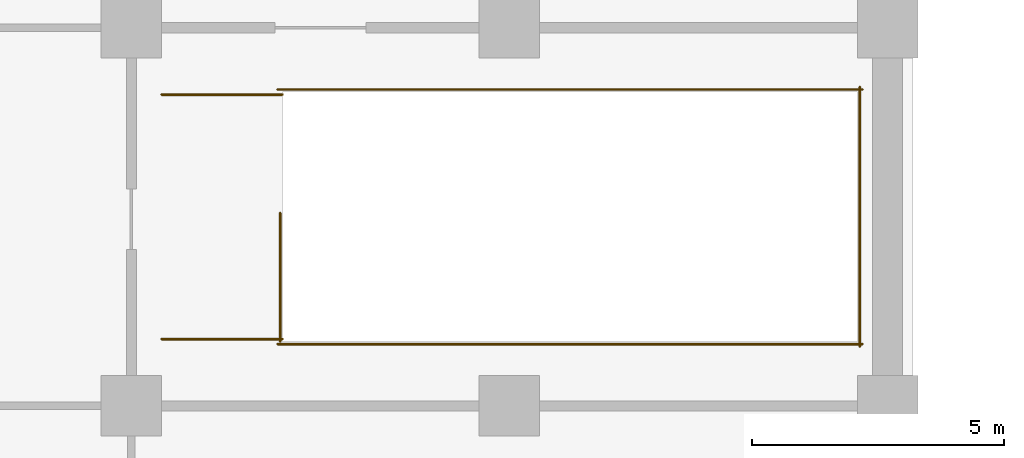
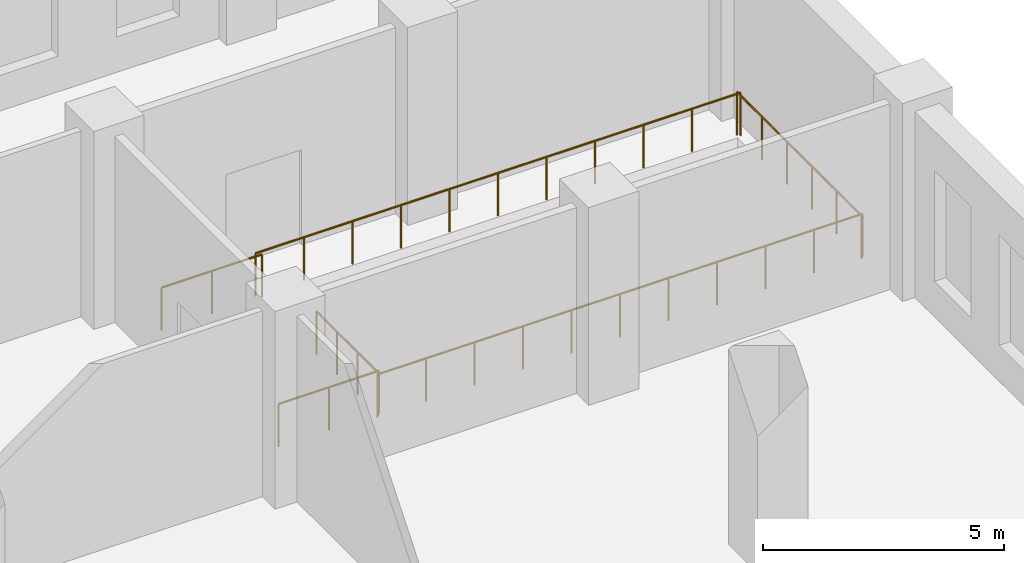
# One storey, part 22 of 22: 6 railings.
"""IFC4 building model written with IfcOpenShell, lengths in metres."""

from ifc_helpers import new_model, si_unit, direction, frame, origin, origin_2d, place, context, subcontext, project, spatial, circle, extrude, material, type_object, element, save


model = new_model("IFC4")

# Units and contexts
model_context = context("Model", 3, precision=1e-05, world=origin(), true_north=direction((0.0, 1.0)))
body_context = subcontext(model_context, "Body", "Model", "MODEL_VIEW")
ifc_project = project(units=[si_unit("LENGTHUNIT", "METRE"), si_unit("AREAUNIT", "SQUARE_METRE"), si_unit("VOLUMEUNIT", "CUBIC_METRE"), si_unit("PLANEANGLEUNIT", "RADIAN"), si_unit("MASSUNIT", "GRAM", prefix="KILO")], contexts=[model_context])

# Site, building, storey
site_placement = place(None, origin())
site = spatial("IfcSite", under=ifc_project, at=site_placement, CompositionType="ELEMENT")
building_placement = place(site_placement, origin())
building = spatial("IfcBuilding", under=site, at=building_placement, Name="Tamorin Gate", CompositionType="ELEMENT")
storey_placement = place(building_placement, frame((0.0, 0.0, 29.0)))
storey = spatial("IfcBuildingStorey", under=building, at=storey_placement, Name="L05", CompositionType="ELEMENT", Elevation=29.0)

# Railings
ifc_material = material(Name="Steel", Category="steel")
railing_type = type_object("IfcRailingType", Name="Podium guard 1100", PredefinedType="GUARDRAIL", material=ifc_material)
railing_1_placement = place(storey_placement, frame((99.949951171875, 98.27490234375, 0.0)))
element("IfcRailing", 1, at=railing_1_placement, inside=storey, type_object=railing_type, Name="L05 PS4 top well guard 1", PredefinedType="GUARDRAIL", context=body_context, shape_type="SweptSolid", body=[
    extrude(circle(Radius=0.02392578125, at=origin_2d()), frame((0.0, 0.0, 1.076171875), z_axis=(0.0, 1.0, 0.0), x_axis=(-1.0, 0.0, 0.0)), (0.0, 0.0, 1.0), 2.550048828125),
    extrude(circle(Radius=0.02099609375, at=origin_2d()), origin(), (0.0, 0.0, 1.0), 1.052001953125),
    extrude(circle(Radius=0.02099609375, at=origin_2d()), frame((0.0, 0.85009765625, 0.0)), (0.0, 0.0, 1.0), 1.052001953125),
    extrude(circle(Radius=0.02099609375, at=origin_2d()), frame((0.0, 1.699951171875, 0.0)), (0.0, 0.0, 1.0), 1.052001953125),
    extrude(circle(Radius=0.02099609375, at=origin_2d()), frame((0.0, 2.550048828125, 0.0)), (0.0, 0.0, 1.0), 1.052001953125),
])
for number, where, name in (
    (2, (99.89990234375, 98.22509765625, 0.0), "L05 PS4 top well guard 2"),
    (3, (99.89990234375, 103.27490234375, 0.0), "L05 PS4 top well guard 3"),
):
    element("IfcRailing", number, at=place(storey_placement, frame(where)), inside=storey, type_object=railing_type, Name=name, PredefinedType="GUARDRAIL", context=body_context, shape_type="SweptSolid", body=[
        extrude(circle(Radius=0.02392578125, at=origin_2d()), frame((0.0, 0.0, 1.076171875), z_axis=(1.0, 0.0, 0.0), x_axis=(0.0, 1.0, 0.0)), (0.0, 0.0, 1.0), 11.60009765625),
        extrude(circle(Radius=0.02099609375, at=origin_2d()), origin(), (0.0, 0.0, 1.0), 1.052001953125),
        extrude(circle(Radius=0.02099609375, at=origin_2d()), frame((1.159912109375, 0.0, 0.0)), (0.0, 0.0, 1.0), 1.052001953125),
        extrude(circle(Radius=0.02099609375, at=origin_2d()), frame((2.320068359375, 0.0, 0.0)), (0.0, 0.0, 1.0), 1.052001953125),
        extrude(circle(Radius=0.02099609375, at=origin_2d()), frame((3.47998046875, 0.0, 0.0)), (0.0, 0.0, 1.0), 1.052001953125),
        extrude(circle(Radius=0.02099609375, at=origin_2d()), frame((4.64013671875, 0.0, 0.0)), (0.0, 0.0, 1.0), 1.052001953125),
        extrude(circle(Radius=0.02099609375, at=origin_2d()), frame((5.800048828125, 0.0, 0.0)), (0.0, 0.0, 1.0), 1.052001953125),
        extrude(circle(Radius=0.02099609375, at=origin_2d()), frame((6.9599609375, 0.0, 0.0)), (0.0, 0.0, 1.0), 1.052001953125),
        extrude(circle(Radius=0.02099609375, at=origin_2d()), frame((8.1201171875, 0.0, 0.0)), (0.0, 0.0, 1.0), 1.052001953125),
        extrude(circle(Radius=0.02099609375, at=origin_2d()), frame((9.280029296875, 0.0, 0.0)), (0.0, 0.0, 1.0), 1.052001953125),
        extrude(circle(Radius=0.02099609375, at=origin_2d()), frame((10.440185546875, 0.0, 0.0)), (0.0, 0.0, 1.0), 1.052001953125),
        extrude(circle(Radius=0.02099609375, at=origin_2d()), frame((11.60009765625, 0.0, 0.0)), (0.0, 0.0, 1.0), 1.052001953125),
    ])
railing_2_placement = place(storey_placement, frame((111.449951171875, 98.175048828125, 0.0)))
element("IfcRailing", 4, at=railing_2_placement, inside=storey, type_object=railing_type, Name="L05 PS4 top well guard 4", PredefinedType="GUARDRAIL", context=body_context, shape_type="SweptSolid", body=[
    extrude(circle(Radius=0.02392578125, at=origin_2d()), frame((0.0, 0.0, 1.076171875), z_axis=(0.0, 1.0, 0.0), x_axis=(-1.0, 0.0, 0.0)), (0.0, 0.0, 1.0), 5.14990234375),
    extrude(circle(Radius=0.02099609375, at=origin_2d()), origin(), (0.0, 0.0, 1.0), 1.052001953125),
    extrude(circle(Radius=0.02099609375, at=origin_2d()), frame((0.0, 1.030029296875, 0.0)), (0.0, 0.0, 1.0), 1.052001953125),
    extrude(circle(Radius=0.02099609375, at=origin_2d()), frame((0.0, 2.06005859375, 0.0)), (0.0, 0.0, 1.0), 1.052001953125),
    extrude(circle(Radius=0.02099609375, at=origin_2d()), frame((0.0, 3.08984375, 0.0)), (0.0, 0.0, 1.0), 1.052001953125),
    extrude(circle(Radius=0.02099609375, at=origin_2d()), frame((0.0, 4.119873046875, 0.0)), (0.0, 0.0, 1.0), 1.052001953125),
    extrude(circle(Radius=0.02099609375, at=origin_2d()), frame((0.0, 5.14990234375, 0.0)), (0.0, 0.0, 1.0), 1.052001953125),
])
for number, where, name in (
    (5, (97.60009765625, 98.324951171875, 0.0), "L05 PS4 top well guard 5"),
    (6, (97.60009765625, 103.175048828125, 0.0), "L05 PS4 top well guard 6"),
):
    element("IfcRailing", number, at=place(storey_placement, frame(where)), inside=storey, type_object=railing_type, Name=name, PredefinedType="GUARDRAIL", context=body_context, shape_type="SweptSolid", body=[
        extrude(circle(Radius=0.02392578125, at=origin_2d()), frame((0.0, 0.0, 1.076171875), z_axis=(1.0, 0.0, 0.0), x_axis=(0.0, 1.0, 0.0)), (0.0, 0.0, 1.0), 2.39990234375),
        extrude(circle(Radius=0.02099609375, at=origin_2d()), origin(), (0.0, 0.0, 1.0), 1.052001953125),
        extrude(circle(Radius=0.02099609375, at=origin_2d()), frame((1.199951171875, 0.0, 0.0)), (0.0, 0.0, 1.0), 1.052001953125),
        extrude(circle(Radius=0.02099609375, at=origin_2d()), frame((2.39990234375, 0.0, 0.0)), (0.0, 0.0, 1.0), 1.052001953125),
    ])

save(model, "model.ifc")
